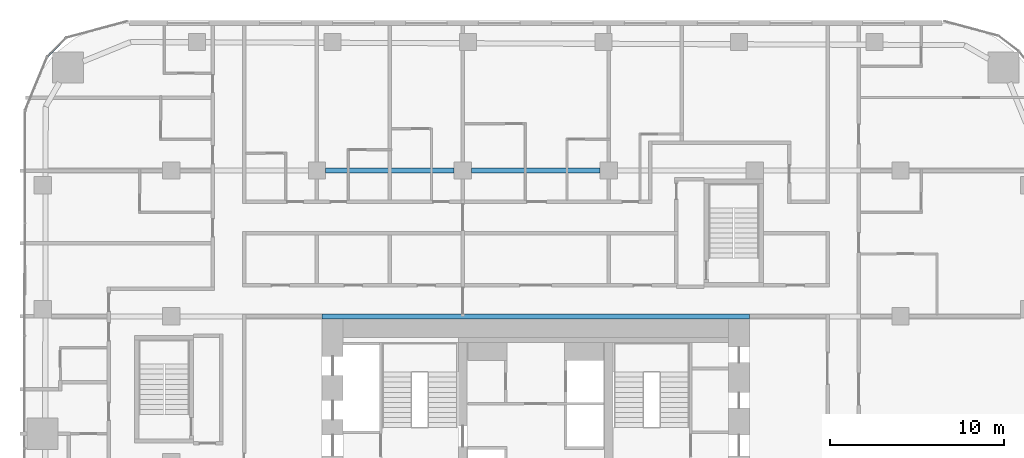
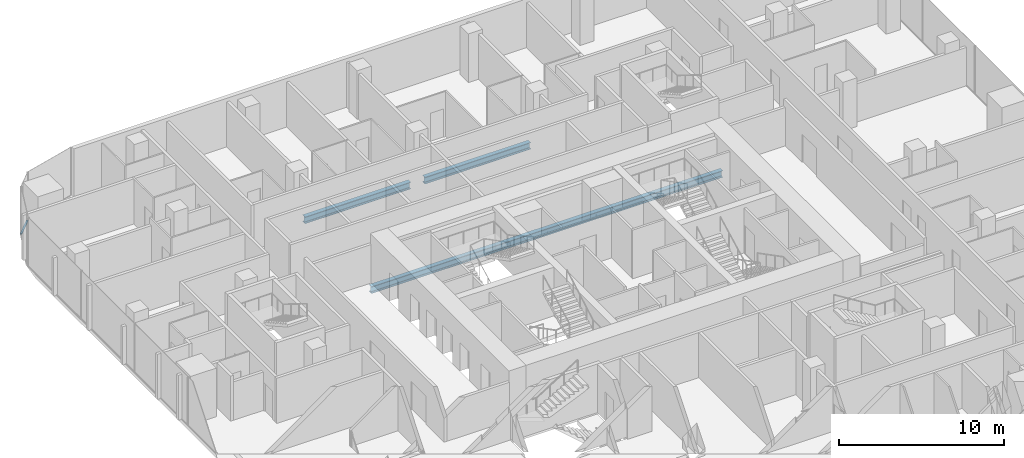
# One storey, part 9 of 26: 3 beams, 1 member, 1 element without a shape of its own.
"""IFC4 building model written with IfcOpenShell, lengths in metres."""

import ifcopenshell
import ifcopenshell.guid

model = None  # the IFC model being written
_history = None  # IfcOwnerHistory: only IFC2X3 demands one
_inside = {}  # id of a spatial element -> (the spatial element, [elements in it])
_under = {}  # id of a project, library or spatial element -> (it, [spatial elements below it])
_declared = {}  # id of a project -> (the project, [libraries it declares])
_typed = {}  # id of a type object -> (the type object, [elements of that type])
_made_of = {}  # id of a material, layer set ... -> (it, [elements and type objects made of it])


def new_model(schema):
    """Start an empty IFC model of exactly this schema.

    Asked for "IFC4X3", IfcOpenShell would pick the latest addendum, in which some entities
    have other attributes; the version numbers below select the first issue.
    IFC2X3 requires an IfcOwnerHistory on every rooted entity: one is made here for all.
    """
    global model, _history
    if schema == "IFC4X3":
        model = ifcopenshell.file(schema_version=(4, 3, 0, 0))
    else:
        model = ifcopenshell.file(schema=schema)
    _inside.clear()
    _under.clear()
    _declared.clear()
    _typed.clear()
    _made_of.clear()
    _history = None
    if model.schema == "IFC2X3":
        org = make("IfcOrganization", Name="unknown")
        user = make(
            "IfcPersonAndOrganization",
            ThePerson=make("IfcPerson", FamilyName="unknown"),
            TheOrganization=org,
        )
        app = make(
            "IfcApplication",
            ApplicationDeveloper=org,
            Version="unknown",
            ApplicationFullName="unknown",
            ApplicationIdentifier="unknown",
        )
        _history = make(
            "IfcOwnerHistory",
            OwningUser=user,
            OwningApplication=app,
            ChangeAction="ADDED",
            CreationDate=0,
        )
    return model


def make(cls, **values):
    """One entity of the class cls with the attributes given. An attribute that is None is left unset."""
    return model.create_entity(
        cls, **{name: value for name, value in values.items() if value is not None}
    )


def rooted(cls, **values):
    """An entity with a GlobalId (a new one), such as an element, a storey or a relation."""
    return make(cls, GlobalId=ifcopenshell.guid.new(), OwnerHistory=_history, **values)


def si_unit(unit_type, name, prefix=None):
    """IfcSIUnit, for example si_unit("LENGTHUNIT", "METRE", prefix="MILLI")."""
    return make("IfcSIUnit", UnitType=unit_type, Prefix=prefix, Name=name)


def assignment(units):
    """IfcUnitAssignment: the units of a project."""
    return None if units is None else make("IfcUnitAssignment", Units=units)


def point(xyz):
    """IfcCartesianPoint."""
    return None if xyz is None else make("IfcCartesianPoint", Coordinates=xyz)


def direction(xyz):
    """IfcDirection."""
    return None if xyz is None else make("IfcDirection", DirectionRatios=xyz)


def frame(location, z_axis=None, x_axis=None):
    """IfcAxis2Placement3D, a coordinate frame: its origin and axes. An axis left out is left unset."""
    return make(
        "IfcAxis2Placement3D",
        Location=point(location),
        Axis=direction(z_axis),
        RefDirection=direction(x_axis),
    )


def frame_2d(location, x_axis=None):
    """IfcAxis2Placement2D, a coordinate frame in the plane: its origin and x axis."""
    return make(
        "IfcAxis2Placement2D", Location=point(location), RefDirection=direction(x_axis)
    )


def origin():
    """The frame at (0, 0, 0) with its axes left unset."""
    return frame((0.0, 0.0, 0.0))


def origin_2d():
    """The frame at (0, 0) in the plane with its x axis left unset."""
    return frame_2d((0.0, 0.0))


def place(relative_to, where):
    """IfcLocalPlacement: puts the frame where relative to a parent placement (None: the world)."""
    return make(
        "IfcLocalPlacement", PlacementRelTo=relative_to, RelativePlacement=where
    )


def context(
    kind, dimensions, precision=None, world=None, true_north=None, identifier=None
):
    """IfcGeometricRepresentationContext, for example the 3D "Model" context."""
    return make(
        "IfcGeometricRepresentationContext",
        ContextIdentifier=identifier,
        ContextType=kind,
        CoordinateSpaceDimension=dimensions,
        Precision=precision,
        WorldCoordinateSystem=world,
        TrueNorth=true_north,
    )


def subcontext(parent, identifier, kind, view, scale=None):
    """IfcGeometricRepresentationSubContext, for example "Body" below "Model"."""
    return make(
        "IfcGeometricRepresentationSubContext",
        ContextIdentifier=identifier,
        ContextType=kind,
        ParentContext=parent,
        TargetScale=scale,
        TargetView=view,
    )


def project(units=None, contexts=None):
    """IfcProject with its units and contexts."""
    return rooted(
        "IfcProject",
        Name="project",
        RepresentationContexts=contexts,
        UnitsInContext=assignment(units),
    )


def spatial(cls, under=None, at=None, **own):
    """A site, building, storey or space (cls), placed at a placement, below another one or the project."""
    s = rooted(cls, ObjectPlacement=at, **own)
    if under is not None:
        _under.setdefault(under.id(), (under, []))[1].append(s)
    return s


def profile(cls, at=None, kind="AREA", **sizes):
    """A parametric profile (cls). Its sizes go by their IFC names, for example OverallWidth=200.0."""
    return make(cls, ProfileType=kind, Position=at, **sizes)


def rectangle(**sizes):
    """IfcRectangleProfileDef."""
    return profile("IfcRectangleProfileDef", **sizes)


def i_section(**sizes):
    """IfcIShapeProfileDef."""
    return profile("IfcIShapeProfileDef", **sizes)


def extrude(swept, where, along, depth):
    """IfcExtrudedAreaSolid: the profile swept, set in the frame where, extruded along a direction by depth."""
    return make(
        "IfcExtrudedAreaSolid",
        SweptArea=swept,
        Position=where,
        ExtrudedDirection=direction(along),
        Depth=depth,
    )


def shape(context_of_items, identifier, shape_type, items):
    """IfcShapeRepresentation: the items that make up one representation, for example the "Body"."""
    return make(
        "IfcShapeRepresentation",
        ContextOfItems=context_of_items,
        RepresentationIdentifier=identifier,
        RepresentationType=shape_type,
        Items=items,
    )


def material(Name=None, Category=None):
    """IfcMaterial."""
    return make("IfcMaterial", Name=Name, Category=Category)


def layer(
    of_material, thickness, ventilated=None, Name=None, Category=None, Priority=None
):
    """IfcMaterialLayer: one layer of a wall or slab, of a material (None: an air gap)."""
    return make(
        "IfcMaterialLayer",
        Material=of_material,
        LayerThickness=thickness,
        IsVentilated=ventilated,
        Name=Name,
        Category=Category,
        Priority=Priority,
    )


def layer_set(layers, Name=None):
    """IfcMaterialLayerSet."""
    return make("IfcMaterialLayerSet", MaterialLayers=layers, LayerSetName=Name)


def material_profile(
    of_material, cross_section, Name=None, Category=None, Priority=None
):
    """IfcMaterialProfile: a cross section and its material."""
    return make(
        "IfcMaterialProfile",
        Name=Name,
        Material=of_material,
        Profile=cross_section,
        Priority=Priority,
        Category=Category,
    )


def profile_set(profiles, Name=None, composite=None):
    """IfcMaterialProfileSet."""
    return make(
        "IfcMaterialProfileSet",
        Name=Name,
        MaterialProfiles=profiles,
        CompositeProfile=composite,
    )


def made_of(thing, what):
    """Note that an element or type object is made of a material, layer set ...; save() writes the relation."""
    if what is not None:
        _made_of.setdefault(what.id(), (what, []))[1].append(thing)
    return thing


def type_object(cls, material=None, **own):
    """A type object (cls), such as IfcWallType, which elements share."""
    return made_of(rooted(cls, **own), material)


def element(
    cls,
    number,
    at=None,
    inside=None,
    cuts=None,
    type_object=None,
    material=None,
    context=None,
    identifier="Body",
    shape_type=None,
    held_by="IfcProductDefinitionShape",
    body=None,
    shapes=None,
    **own,
):
    """One element of the class cls, such as IfcWall. Its Tag is "e" and its number.

    at: its placement. inside: the storey or other place that contains it. cuts: it is an
    opening in that element (IfcRelVoidsElement). A single representation is given by context,
    identifier, shape_type and body (its items); several are given by shapes. held_by: the class
    of the entity that holds the representations. save() writes the other relations.
    """
    e = rooted(cls, Tag="e%d" % number, ObjectPlacement=at, **own)
    if body is not None:
        shapes = [shape(context, identifier, shape_type, body)]
    if shapes is not None:
        e.Representation = make(held_by, Representations=shapes)
    if inside is not None:
        _inside.setdefault(inside.id(), (inside, []))[1].append(e)
    if cuts is not None:
        rooted(
            "IfcRelVoidsElement", RelatingBuildingElement=cuts, RelatedOpeningElement=e
        )
    if type_object is not None:
        _typed.setdefault(type_object.id(), (type_object, []))[1].append(e)
    return made_of(e, material)


def aggregate(whole, parts):
    """IfcRelAggregates: a whole, such as a stair, and the parts it consists of."""
    return rooted("IfcRelAggregates", RelatingObject=whole, RelatedObjects=parts)


def save(model, path):
    """Write the relations noted so far, then the file.

    IfcRelAggregates (storeys below a building ...), IfcRelContainedInSpatialStructure (elements
    in a storey), IfcRelDefinesByType, IfcRelAssociatesMaterial and IfcRelDeclares: one each for
    every whole, place, type object, material and project.
    """
    for whole, parts in _under.values():
        aggregate(whole, parts)
    for where, things in _inside.values():
        rooted(
            "IfcRelContainedInSpatialStructure",
            RelatedElements=things,
            RelatingStructure=where,
        )
    for kind, things in _typed.values():
        rooted("IfcRelDefinesByType", RelatedObjects=things, RelatingType=kind)
    for what, things in _made_of.values():
        rooted("IfcRelAssociatesMaterial", RelatedObjects=things, RelatingMaterial=what)
    for by, libraries in _declared.values():
        rooted("IfcRelDeclares", RelatingContext=by, RelatedDefinitions=libraries)
    model.write(path)


model = new_model("IFC4")

# Units and contexts
model_context = context("Model", 3, precision=1e-05, world=origin(), true_north=direction((0.0, 1.0)))
body_context = subcontext(model_context, "Body", "Model", "MODEL_VIEW")
ifc_project = project(units=[si_unit("LENGTHUNIT", "METRE"), si_unit("AREAUNIT", "SQUARE_METRE"), si_unit("VOLUMEUNIT", "CUBIC_METRE"), si_unit("PLANEANGLEUNIT", "RADIAN"), si_unit("MASSUNIT", "GRAM", prefix="KILO")], contexts=[model_context])

# Site, building, storey
site_placement = place(None, origin())
site = spatial("IfcSite", under=ifc_project, at=site_placement, CompositionType="ELEMENT")
building_placement = place(site_placement, origin())
building = spatial("IfcBuilding", under=site, at=building_placement, Name="Marenta Gate Hotel Tower", CompositionType="ELEMENT")
storey_placement = place(building_placement, frame((0.0, 0.0, 58.10009765625)))
storey = spatial("IfcBuildingStorey", under=building, at=storey_placement, Name="L12", CompositionType="ELEMENT", Elevation=58.10009765625)

# Beams
ifc_material_1 = material(Name="Steel S355", Category="steel")
ifc_material_profile_1 = material_profile(ifc_material_1, i_section(OverallWidth=0.300048828125, OverallDepth=0.5, WebThickness=0.014404296875, FlangeThickness=0.028076171875, FilletRadius=0.027099609375, at=origin_2d()), Name="HEB 500")
ifc_profile_set_1 = profile_set([ifc_material_profile_1], Name="Steel S355")
beam_type = type_object("IfcBeamType", Name="Girder HEB 500", PredefinedType="BEAM", material=ifc_profile_set_1)
beam_1_placement = place(storey_placement, frame((-12.300048828125, 16.800048828125, -0.510009765625), z_axis=(1.0, 0.0, 0.0), x_axis=(0.0, 1.0, 0.0)))
element("IfcBeam", 1, at=beam_1_placement, inside=storey, type_object=beam_type, Name="L12-GD-19", PredefinedType="BEAM", context=body_context, shape_type="SweptSolid", body=[
    extrude(i_section(OverallWidth=0.300048828125, OverallDepth=0.5, WebThickness=0.014404296875, FlangeThickness=0.028076171875, FilletRadius=0.027099609375, at=origin_2d()), origin(), (0.0, 0.0, 1.0), 24.60009765625),
])
beam_2_placement = place(storey_placement, frame((-12.10009765625, 25.199951171875, -0.510009765625), z_axis=(1.0, 0.0, 0.0), x_axis=(0.0, 1.0, 0.0)))
element("IfcBeam", 2, at=beam_2_placement, inside=storey, type_object=beam_type, Name="L12-GD-24", PredefinedType="BEAM", context=body_context, shape_type="SweptSolid", body=[
    extrude(i_section(OverallWidth=0.300048828125, OverallDepth=0.5, WebThickness=0.014404296875, FlangeThickness=0.028076171875, FilletRadius=0.027099609375, at=origin_2d()), origin(), (0.0, 0.0, 1.0), 7.400146484375),
])
beam_3_placement = place(storey_placement, frame((-3.699951171875, 25.199951171875, -0.510009765625), z_axis=(1.0, 0.0, 0.0), x_axis=(0.0, 1.0, 0.0)))
element("IfcBeam", 3, at=beam_3_placement, inside=storey, type_object=beam_type, Name="L12-GD-25", PredefinedType="BEAM", context=body_context, shape_type="SweptSolid", body=[
    extrude(i_section(OverallWidth=0.300048828125, OverallDepth=0.5, WebThickness=0.014404296875, FlangeThickness=0.028076171875, FilletRadius=0.027099609375, at=origin_2d()), origin(), (0.0, 0.0, 1.0), 7.39990234375),
])

# Curtain wall, member
ifc_material_2 = material(Name="Tinted insulated glass in bronze anodised frame", Category="glass")
ifc_layer = layer(ifc_material_2, 0.1201171875)
ifc_layer_set = layer_set([ifc_layer], Name="Tinted insulated glass in bronze anodised frame")
curtain_wall_type = type_object("IfcCurtainWallType", Name="Tower unitised curtain wall CW1", PredefinedType="NOTDEFINED", material=ifc_layer_set)
curtain_wall_placement = place(storey_placement, origin())
curtain_wall = element("IfcCurtainWall", 4, at=curtain_wall_placement, inside=storey, type_object=curtain_wall_type, Name="CW1 run G01", PredefinedType="NOTDEFINED")
ifc_material_3 = material(Name="Bronze anodised aluminium", Category="aluminium")
ifc_material_profile_2 = material_profile(ifc_material_3, rectangle(XDim=0.1201171875, YDim=0.06005859375, at=origin_2d()), Name="Transom CW1 60x120 bronze anodised aluminium")
ifc_profile_set_2 = profile_set([ifc_material_profile_2], Name="Bronze anodised aluminium")
member_type = type_object("IfcMemberType", Name="Transom CW1 60x120 bronze anodised aluminium", PredefinedType="USERDEFINED", material=ifc_profile_set_2)
member_placement = place(storey_placement, frame((-27.082275390625, 32.80859375, 0.02978515625), z_axis=(-0.707106781187, -0.707106781187, 0.0), x_axis=(0.707106781187, -0.707106781187, 0.0)))
member = element("IfcMember", 5, at=member_placement, type_object=member_type, Name="CW1 transom 1.1", ObjectType="TRANSOM", PredefinedType="USERDEFINED", context=body_context, shape_type="SweptSolid", body=[
    extrude(rectangle(XDim=0.1201171875, YDim=0.06005859375, at=origin_2d()), origin(), (0.0, 0.0, 1.0), 1.48291015625),
])
aggregate(curtain_wall, [member])

save(model, "model.ifc")
